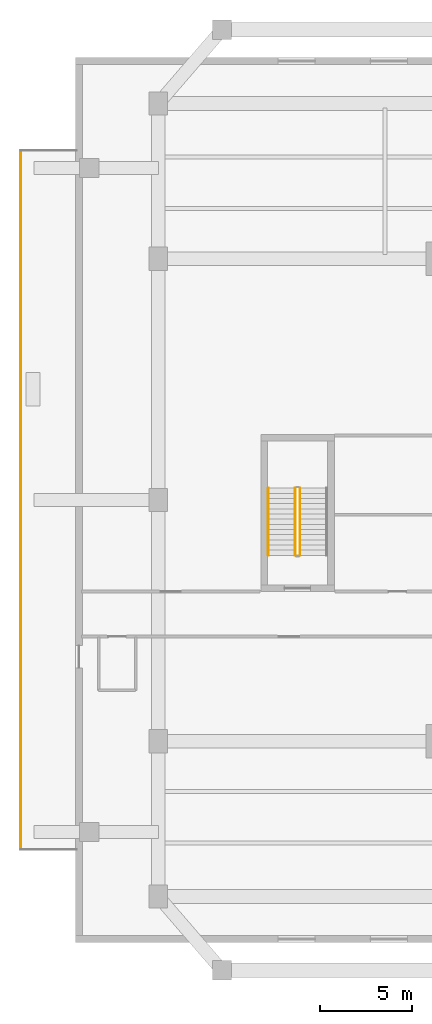
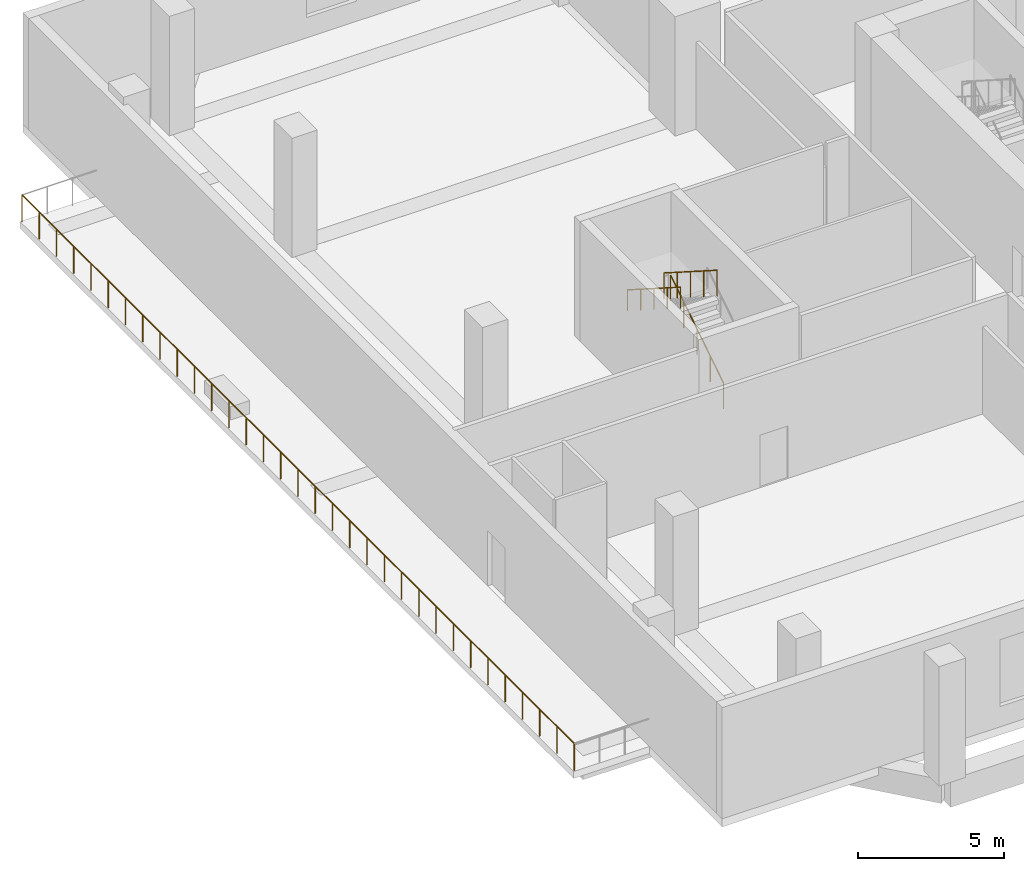
# One storey, part 11 of 14: 4 railings.
"""IFC4 building model written with IfcOpenShell, lengths in metres."""

from ifc_helpers import new_model, si_unit, direction, frame, origin, origin_2d, place, context, subcontext, project, spatial, circle, extrude, source, transform, mapped, material, type_object, element, save


model = new_model("IFC4")

# Units and contexts
model_context = context("Model", 3, precision=1e-05, world=origin(), true_north=direction((0.0, 1.0)))
body_context = subcontext(model_context, "Body", "Model", "MODEL_VIEW")
ifc_project = project(units=[si_unit("LENGTHUNIT", "METRE"), si_unit("AREAUNIT", "SQUARE_METRE"), si_unit("VOLUMEUNIT", "CUBIC_METRE"), si_unit("PLANEANGLEUNIT", "RADIAN"), si_unit("MASSUNIT", "GRAM", prefix="KILO"), si_unit("THERMODYNAMICTEMPERATUREUNIT", "KELVIN")], contexts=[model_context])

# Site, building, storey
site_placement = place(None, origin())
site = spatial("IfcSite", under=ifc_project, at=site_placement, CompositionType="ELEMENT")
building_placement = place(site_placement, origin())
building = spatial("IfcBuilding", under=site, at=building_placement, Name="Kosmvard Interchange Tower", CompositionType="ELEMENT")
storey_placement = place(building_placement, frame((0.0, 0.0, 16.0)))
storey = spatial("IfcBuildingStorey", under=building, at=storey_placement, Name="L03", CompositionType="ELEMENT", Elevation=16.0)

# Railings
ifc_material = material(Name="Steel S355", Category="steel")
railing_type_1 = type_object("IfcRailingType", Name="Observation & Balcony Glass-Infill Balustrade 1150", PredefinedType="BALUSTRADE", material=ifc_material)
shared_shape_1 = source(origin(), body_context, "Body", "SweptSolid", [
    extrude(circle(Radius=0.02392578125, at=origin_2d()), frame((0.0, 0.0, 1.1259765625), z_axis=(0.0, 1.0, 0.0), x_axis=(-1.0, 0.0, 0.0)), (0.0, 0.0, 1.0), 37.89990234375),
    extrude(circle(Radius=0.02099609375, at=origin_2d()), origin(), (0.0, 0.0, 1.0), 1.101806640625),
    extrude(circle(Radius=0.02099609375, at=origin_2d()), frame((0.0, 1.184326171875, 0.0)), (0.0, 0.0, 1.0), 1.101806640625),
    extrude(circle(Radius=0.02099609375, at=origin_2d()), frame((0.0, 2.36865234375, 0.0)), (0.0, 0.0, 1.0), 1.101806640625),
    extrude(circle(Radius=0.02099609375, at=origin_2d()), frame((0.0, 3.55322265625, 0.0)), (0.0, 0.0, 1.0), 1.101806640625),
    extrude(circle(Radius=0.02099609375, at=origin_2d()), frame((0.0, 4.737548828125, 0.0)), (0.0, 0.0, 1.0), 1.101806640625),
    extrude(circle(Radius=0.02099609375, at=origin_2d()), frame((0.0, 5.921875, 0.0)), (0.0, 0.0, 1.0), 1.101806640625),
    extrude(circle(Radius=0.02099609375, at=origin_2d()), frame((0.0, 7.106201171875, 0.0)), (0.0, 0.0, 1.0), 1.101806640625),
    extrude(circle(Radius=0.02099609375, at=origin_2d()), frame((0.0, 8.29052734375, 0.0)), (0.0, 0.0, 1.0), 1.101806640625),
    extrude(circle(Radius=0.02099609375, at=origin_2d()), frame((0.0, 9.47509765625, 0.0)), (0.0, 0.0, 1.0), 1.101806640625),
    extrude(circle(Radius=0.02099609375, at=origin_2d()), frame((0.0, 10.659423828125, 0.0)), (0.0, 0.0, 1.0), 1.101806640625),
    extrude(circle(Radius=0.02099609375, at=origin_2d()), frame((0.0, 11.84375, 0.0)), (0.0, 0.0, 1.0), 1.101806640625),
    extrude(circle(Radius=0.02099609375, at=origin_2d()), frame((0.0, 13.028076171875, 0.0)), (0.0, 0.0, 1.0), 1.101806640625),
    extrude(circle(Radius=0.02099609375, at=origin_2d()), frame((0.0, 14.21240234375, 0.0)), (0.0, 0.0, 1.0), 1.101806640625),
    extrude(circle(Radius=0.02099609375, at=origin_2d()), frame((0.0, 15.396728515625, 0.0)), (0.0, 0.0, 1.0), 1.101806640625),
    extrude(circle(Radius=0.02099609375, at=origin_2d()), frame((0.0, 16.581298828125, 0.0)), (0.0, 0.0, 1.0), 1.101806640625),
    extrude(circle(Radius=0.02099609375, at=origin_2d()), frame((0.0, 17.765625, 0.0)), (0.0, 0.0, 1.0), 1.101806640625),
    extrude(circle(Radius=0.02099609375, at=origin_2d()), frame((0.0, 18.949951171875, 0.0)), (0.0, 0.0, 1.0), 1.101806640625),
    extrude(circle(Radius=0.02099609375, at=origin_2d()), frame((0.0, 20.13427734375, 0.0)), (0.0, 0.0, 1.0), 1.101806640625),
    extrude(circle(Radius=0.02099609375, at=origin_2d()), frame((0.0, 21.318603515625, 0.0)), (0.0, 0.0, 1.0), 1.101806640625),
    extrude(circle(Radius=0.02099609375, at=origin_2d()), frame((0.0, 22.503173828125, 0.0)), (0.0, 0.0, 1.0), 1.101806640625),
    extrude(circle(Radius=0.02099609375, at=origin_2d()), frame((0.0, 23.6875, 0.0)), (0.0, 0.0, 1.0), 1.101806640625),
    extrude(circle(Radius=0.02099609375, at=origin_2d()), frame((0.0, 24.871826171875, 0.0)), (0.0, 0.0, 1.0), 1.101806640625),
    extrude(circle(Radius=0.02099609375, at=origin_2d()), frame((0.0, 26.05615234375, 0.0)), (0.0, 0.0, 1.0), 1.101806640625),
    extrude(circle(Radius=0.02099609375, at=origin_2d()), frame((0.0, 27.240478515625, 0.0)), (0.0, 0.0, 1.0), 1.101806640625),
    extrude(circle(Radius=0.02099609375, at=origin_2d()), frame((0.0, 28.4248046875, 0.0)), (0.0, 0.0, 1.0), 1.101806640625),
    extrude(circle(Radius=0.02099609375, at=origin_2d()), frame((0.0, 29.609375, 0.0)), (0.0, 0.0, 1.0), 1.101806640625),
    extrude(circle(Radius=0.02099609375, at=origin_2d()), frame((0.0, 30.793701171875, 0.0)), (0.0, 0.0, 1.0), 1.101806640625),
    extrude(circle(Radius=0.02099609375, at=origin_2d()), frame((0.0, 31.97802734375, 0.0)), (0.0, 0.0, 1.0), 1.101806640625),
    extrude(circle(Radius=0.02099609375, at=origin_2d()), frame((0.0, 33.162353515625, 0.0)), (0.0, 0.0, 1.0), 1.101806640625),
    extrude(circle(Radius=0.02099609375, at=origin_2d()), frame((0.0, 34.3466796875, 0.0)), (0.0, 0.0, 1.0), 1.101806640625),
    extrude(circle(Radius=0.02099609375, at=origin_2d()), frame((0.0, 35.53125, 0.0)), (0.0, 0.0, 1.0), 1.101806640625),
    extrude(circle(Radius=0.02099609375, at=origin_2d()), frame((0.0, 36.715576171875, 0.0)), (0.0, 0.0, 1.0), 1.101806640625),
    extrude(circle(Radius=0.02099609375, at=origin_2d()), frame((0.0, 37.89990234375, 0.0)), (0.0, 0.0, 1.0), 1.101806640625),
])
railing_1_placement = place(storey_placement, frame((-35.949951171875, -18.949951171875, 0.0)))
element("IfcRailing", 1, at=railing_1_placement, inside=storey, type_object=railing_type_1, Name="L03 Outdoor Terrace Guard TER-L03-W-B", PredefinedType="BALUSTRADE", context=body_context, shape_type="MappedRepresentation", body=[
    mapped(shared_shape_1, transform((0.0, 0.0, 0.0), scale=1.0)),
])
railing_type_2 = type_object("IfcRailingType", Name="Stair & Terrace Safety Guardrail 1100 Steel", PredefinedType="GUARDRAIL", material=ifc_material)
shared_shape_2 = source(origin(), body_context, "Body", "SweptSolid", [
    extrude(circle(Radius=0.02392578125, at=origin_2d()), frame((0.0, 0.0, 1.076171875), z_axis=(0.0, 0.843111507901, 0.53773877045), x_axis=(-1.0, 0.0, 0.0)), (0.0, 0.0, 1.0), 4.317138671875),
    extrude(circle(Radius=0.02099609375, at=origin_2d()), origin(), (0.0, 0.0, 1.0), 1.052001953125),
    extrude(circle(Radius=0.02099609375, at=origin_2d()), frame((0.0, 0.909912109375, 0.580322265625)), (0.0, 0.0, 1.0), 1.052001953125),
    extrude(circle(Radius=0.02099609375, at=origin_2d()), frame((0.0, 1.81982421875, 1.16064453125)), (0.0, 0.0, 1.0), 1.052001953125),
    extrude(circle(Radius=0.02099609375, at=origin_2d()), frame((0.0, 2.72998046875, 1.7412109375)), (0.0, 0.0, 1.0), 1.052001953125),
    extrude(circle(Radius=0.02099609375, at=origin_2d()), frame((0.0, 3.639892578125, 2.321533203125)), (0.0, 0.0, 1.0), 1.052001953125),
])
railing_2_placement = place(storey_placement, frame((-20.820068359375, -3.0, 0.178466796875)))
element("IfcRailing", 2, at=railing_2_placement, inside=storey, type_object=railing_type_2, Name="L03 ST-3 stair guard 1", PredefinedType="GUARDRAIL", context=body_context, shape_type="MappedRepresentation", body=[
    mapped(shared_shape_2, transform((0.0, 0.0, 0.0), scale=1.0)),
])
shared_shape_3 = source(origin(), body_context, "Body", "SweptSolid", [
    extrude(circle(Radius=0.02392578125, at=origin_2d()), frame((0.0, 0.0, 1.076171875), z_axis=(0.0, -0.843111507901, 0.53773877045), x_axis=(1.0, 0.0, 0.0)), (0.0, 0.0, 1.0), 4.317138671875),
    extrude(circle(Radius=0.02099609375, at=origin_2d()), origin(), (0.0, 0.0, 1.0), 1.052001953125),
    extrude(circle(Radius=0.02099609375, at=origin_2d()), frame((0.0, -0.909912109375, 0.580322265625)), (0.0, 0.0, 1.0), 1.052001953125),
    extrude(circle(Radius=0.02099609375, at=origin_2d()), frame((0.0, -1.81982421875, 1.16064453125)), (0.0, 0.0, 1.0), 1.052001953125),
    extrude(circle(Radius=0.02099609375, at=origin_2d()), frame((0.0, -2.72998046875, 1.7412109375)), (0.0, 0.0, 1.0), 1.052001953125),
    extrude(circle(Radius=0.02099609375, at=origin_2d()), frame((0.0, -3.639892578125, 2.321533203125)), (0.0, 0.0, 1.0), 1.052001953125),
])
railing_3_placement = place(storey_placement, frame((-21.080078125, 0.639892578125, 2.678466796875)))
element("IfcRailing", 3, at=railing_3_placement, inside=storey, type_object=railing_type_2, Name="L03 ST-3 stair guard 3", PredefinedType="GUARDRAIL", context=body_context, shape_type="MappedRepresentation", body=[
    mapped(shared_shape_3, transform((0.0, 0.0, 0.0), scale=1.0)),
])
railing_type_3 = type_object("IfcRailingType", Name="Wall-Mounted Stair Handrail 900 Steel", PredefinedType="HANDRAIL", material=ifc_material)
shared_shape_4 = source(origin(), body_context, "Body", "SweptSolid", [
    extrude(circle(Radius=0.02392578125, at=origin_2d()), frame((0.0, 0.0, 0.8759765625), z_axis=(0.0, -0.843111507901, 0.53773877045), x_axis=(1.0, 0.0, 0.0)), (0.0, 0.0, 1.0), 4.317138671875),
    extrude(circle(Radius=0.02099609375, at=origin_2d()), origin(), (0.0, 0.0, 1.0), 0.851806640625),
    extrude(circle(Radius=0.02099609375, at=origin_2d()), frame((0.0, -0.909912109375, 0.580322265625)), (0.0, 0.0, 1.0), 0.851806640625),
    extrude(circle(Radius=0.02099609375, at=origin_2d()), frame((0.0, -1.81982421875, 1.16064453125)), (0.0, 0.0, 1.0), 0.851806640625),
    extrude(circle(Radius=0.02099609375, at=origin_2d()), frame((0.0, -2.72998046875, 1.7412109375)), (0.0, 0.0, 1.0), 0.851806640625),
    extrude(circle(Radius=0.02099609375, at=origin_2d()), frame((0.0, -3.639892578125, 2.321533203125)), (0.0, 0.0, 1.0), 0.851806640625),
])
railing_4_placement = place(storey_placement, frame((-22.530029296875, 0.639892578125, 2.678466796875)))
element("IfcRailing", 4, at=railing_4_placement, inside=storey, type_object=railing_type_3, Name="L03 ST-3 stair handrail 2", PredefinedType="HANDRAIL", context=body_context, shape_type="MappedRepresentation", body=[
    mapped(shared_shape_4, transform((0.0, 0.0, 0.0), scale=1.0)),
])

save(model, "model.ifc")
